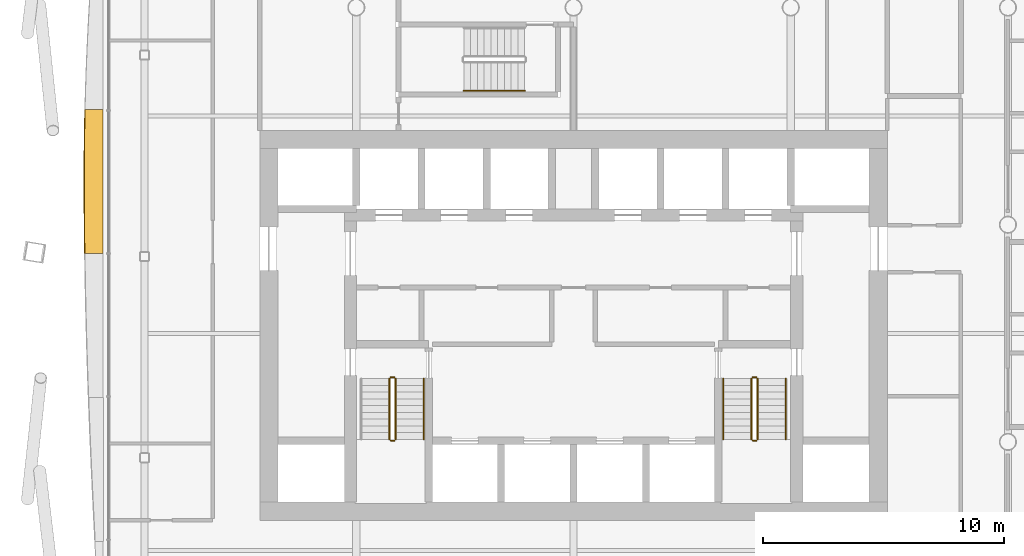
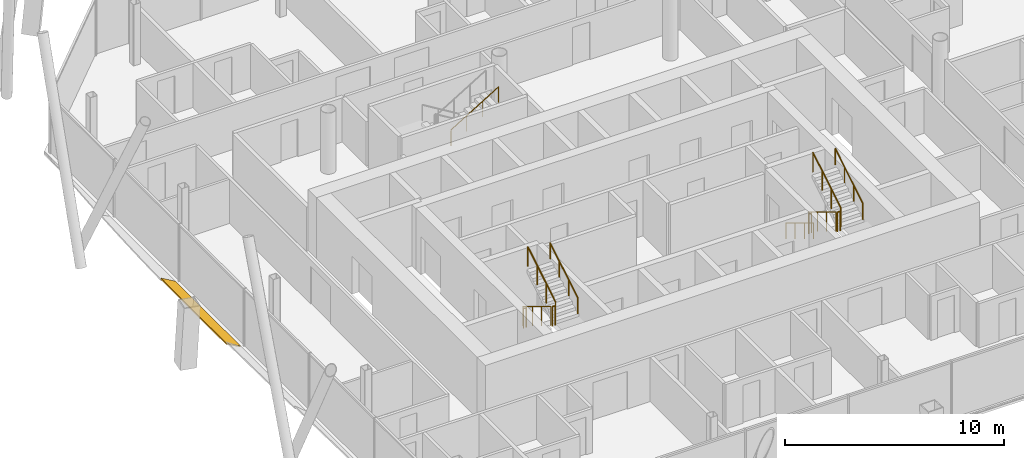
# One storey, part 20 of 23: 12 railings, 1 shading device.
"""IFC4 building model written with IfcOpenShell, lengths in metres."""

import ifcopenshell
import ifcopenshell.guid

model = None  # the IFC model being written
_history = None  # IfcOwnerHistory: only IFC2X3 demands one
_inside = {}  # id of a spatial element -> (the spatial element, [elements in it])
_under = {}  # id of a project, library or spatial element -> (it, [spatial elements below it])
_declared = {}  # id of a project -> (the project, [libraries it declares])
_typed = {}  # id of a type object -> (the type object, [elements of that type])
_made_of = {}  # id of a material, layer set ... -> (it, [elements and type objects made of it])


def new_model(schema):
    """Start an empty IFC model of exactly this schema.

    Asked for "IFC4X3", IfcOpenShell would pick the latest addendum, in which some entities
    have other attributes; the version numbers below select the first issue.
    IFC2X3 requires an IfcOwnerHistory on every rooted entity: one is made here for all.
    """
    global model, _history
    if schema == "IFC4X3":
        model = ifcopenshell.file(schema_version=(4, 3, 0, 0))
    else:
        model = ifcopenshell.file(schema=schema)
    _inside.clear()
    _under.clear()
    _declared.clear()
    _typed.clear()
    _made_of.clear()
    _history = None
    if model.schema == "IFC2X3":
        org = make("IfcOrganization", Name="unknown")
        user = make(
            "IfcPersonAndOrganization",
            ThePerson=make("IfcPerson", FamilyName="unknown"),
            TheOrganization=org,
        )
        app = make(
            "IfcApplication",
            ApplicationDeveloper=org,
            Version="unknown",
            ApplicationFullName="unknown",
            ApplicationIdentifier="unknown",
        )
        _history = make(
            "IfcOwnerHistory",
            OwningUser=user,
            OwningApplication=app,
            ChangeAction="ADDED",
            CreationDate=0,
        )
    return model


def make(cls, **values):
    """One entity of the class cls with the attributes given. An attribute that is None is left unset."""
    return model.create_entity(
        cls, **{name: value for name, value in values.items() if value is not None}
    )


def rooted(cls, **values):
    """An entity with a GlobalId (a new one), such as an element, a storey or a relation."""
    return make(cls, GlobalId=ifcopenshell.guid.new(), OwnerHistory=_history, **values)


def si_unit(unit_type, name, prefix=None):
    """IfcSIUnit, for example si_unit("LENGTHUNIT", "METRE", prefix="MILLI")."""
    return make("IfcSIUnit", UnitType=unit_type, Prefix=prefix, Name=name)


def assignment(units):
    """IfcUnitAssignment: the units of a project."""
    return None if units is None else make("IfcUnitAssignment", Units=units)


def point(xyz):
    """IfcCartesianPoint."""
    return None if xyz is None else make("IfcCartesianPoint", Coordinates=xyz)


def direction(xyz):
    """IfcDirection."""
    return None if xyz is None else make("IfcDirection", DirectionRatios=xyz)


def frame(location, z_axis=None, x_axis=None):
    """IfcAxis2Placement3D, a coordinate frame: its origin and axes. An axis left out is left unset."""
    return make(
        "IfcAxis2Placement3D",
        Location=point(location),
        Axis=direction(z_axis),
        RefDirection=direction(x_axis),
    )


def frame_2d(location, x_axis=None):
    """IfcAxis2Placement2D, a coordinate frame in the plane: its origin and x axis."""
    return make(
        "IfcAxis2Placement2D", Location=point(location), RefDirection=direction(x_axis)
    )


def origin():
    """The frame at (0, 0, 0) with its axes left unset."""
    return frame((0.0, 0.0, 0.0))


def origin_2d():
    """The frame at (0, 0) in the plane with its x axis left unset."""
    return frame_2d((0.0, 0.0))


def place(relative_to, where):
    """IfcLocalPlacement: puts the frame where relative to a parent placement (None: the world)."""
    return make(
        "IfcLocalPlacement", PlacementRelTo=relative_to, RelativePlacement=where
    )


def context(
    kind, dimensions, precision=None, world=None, true_north=None, identifier=None
):
    """IfcGeometricRepresentationContext, for example the 3D "Model" context."""
    return make(
        "IfcGeometricRepresentationContext",
        ContextIdentifier=identifier,
        ContextType=kind,
        CoordinateSpaceDimension=dimensions,
        Precision=precision,
        WorldCoordinateSystem=world,
        TrueNorth=true_north,
    )


def subcontext(parent, identifier, kind, view, scale=None):
    """IfcGeometricRepresentationSubContext, for example "Body" below "Model"."""
    return make(
        "IfcGeometricRepresentationSubContext",
        ContextIdentifier=identifier,
        ContextType=kind,
        ParentContext=parent,
        TargetScale=scale,
        TargetView=view,
    )


def project(units=None, contexts=None):
    """IfcProject with its units and contexts."""
    return rooted(
        "IfcProject",
        Name="project",
        RepresentationContexts=contexts,
        UnitsInContext=assignment(units),
    )


def spatial(cls, under=None, at=None, **own):
    """A site, building, storey or space (cls), placed at a placement, below another one or the project."""
    s = rooted(cls, ObjectPlacement=at, **own)
    if under is not None:
        _under.setdefault(under.id(), (under, []))[1].append(s)
    return s


def polyline(points):
    """IfcPolyline through the points."""
    return make("IfcPolyline", Points=[point(p) for p in points])


def profile(cls, at=None, kind="AREA", **sizes):
    """A parametric profile (cls). Its sizes go by their IFC names, for example OverallWidth=200.0."""
    return make(cls, ProfileType=kind, Position=at, **sizes)


def circle(**sizes):
    """IfcCircleProfileDef."""
    return profile("IfcCircleProfileDef", **sizes)


def outline(outer, holes=None, kind="AREA"):
    """IfcArbitraryClosedProfileDef: a profile drawn as a closed curve; with holes, ...WithVoids."""
    if holes is None:
        return make("IfcArbitraryClosedProfileDef", ProfileType=kind, OuterCurve=outer)
    return make(
        "IfcArbitraryProfileDefWithVoids",
        ProfileType=kind,
        OuterCurve=outer,
        InnerCurves=holes,
    )


def extrude(swept, where, along, depth):
    """IfcExtrudedAreaSolid: the profile swept, set in the frame where, extruded along a direction by depth."""
    return make(
        "IfcExtrudedAreaSolid",
        SweptArea=swept,
        Position=where,
        ExtrudedDirection=direction(along),
        Depth=depth,
    )


def shape(context_of_items, identifier, shape_type, items):
    """IfcShapeRepresentation: the items that make up one representation, for example the "Body"."""
    return make(
        "IfcShapeRepresentation",
        ContextOfItems=context_of_items,
        RepresentationIdentifier=identifier,
        RepresentationType=shape_type,
        Items=items,
    )


def material(Name=None, Category=None):
    """IfcMaterial."""
    return make("IfcMaterial", Name=Name, Category=Category)


def layer(
    of_material, thickness, ventilated=None, Name=None, Category=None, Priority=None
):
    """IfcMaterialLayer: one layer of a wall or slab, of a material (None: an air gap)."""
    return make(
        "IfcMaterialLayer",
        Material=of_material,
        LayerThickness=thickness,
        IsVentilated=ventilated,
        Name=Name,
        Category=Category,
        Priority=Priority,
    )


def layer_set(layers, Name=None):
    """IfcMaterialLayerSet."""
    return make("IfcMaterialLayerSet", MaterialLayers=layers, LayerSetName=Name)


def made_of(thing, what):
    """Note that an element or type object is made of a material, layer set ...; save() writes the relation."""
    if what is not None:
        _made_of.setdefault(what.id(), (what, []))[1].append(thing)
    return thing


def type_object(cls, material=None, **own):
    """A type object (cls), such as IfcWallType, which elements share."""
    return made_of(rooted(cls, **own), material)


def element(
    cls,
    number,
    at=None,
    inside=None,
    cuts=None,
    type_object=None,
    material=None,
    context=None,
    identifier="Body",
    shape_type=None,
    held_by="IfcProductDefinitionShape",
    body=None,
    shapes=None,
    **own,
):
    """One element of the class cls, such as IfcWall. Its Tag is "e" and its number.

    at: its placement. inside: the storey or other place that contains it. cuts: it is an
    opening in that element (IfcRelVoidsElement). A single representation is given by context,
    identifier, shape_type and body (its items); several are given by shapes. held_by: the class
    of the entity that holds the representations. save() writes the other relations.
    """
    e = rooted(cls, Tag="e%d" % number, ObjectPlacement=at, **own)
    if body is not None:
        shapes = [shape(context, identifier, shape_type, body)]
    if shapes is not None:
        e.Representation = make(held_by, Representations=shapes)
    if inside is not None:
        _inside.setdefault(inside.id(), (inside, []))[1].append(e)
    if cuts is not None:
        rooted(
            "IfcRelVoidsElement", RelatingBuildingElement=cuts, RelatedOpeningElement=e
        )
    if type_object is not None:
        _typed.setdefault(type_object.id(), (type_object, []))[1].append(e)
    return made_of(e, material)


def aggregate(whole, parts):
    """IfcRelAggregates: a whole, such as a stair, and the parts it consists of."""
    return rooted("IfcRelAggregates", RelatingObject=whole, RelatedObjects=parts)


def save(model, path):
    """Write the relations noted so far, then the file.

    IfcRelAggregates (storeys below a building ...), IfcRelContainedInSpatialStructure (elements
    in a storey), IfcRelDefinesByType, IfcRelAssociatesMaterial and IfcRelDeclares: one each for
    every whole, place, type object, material and project.
    """
    for whole, parts in _under.values():
        aggregate(whole, parts)
    for where, things in _inside.values():
        rooted(
            "IfcRelContainedInSpatialStructure",
            RelatedElements=things,
            RelatingStructure=where,
        )
    for kind, things in _typed.values():
        rooted("IfcRelDefinesByType", RelatedObjects=things, RelatingType=kind)
    for what, things in _made_of.values():
        rooted("IfcRelAssociatesMaterial", RelatedObjects=things, RelatingMaterial=what)
    for by, libraries in _declared.values():
        rooted("IfcRelDeclares", RelatingContext=by, RelatedDefinitions=libraries)
    model.write(path)


model = new_model("IFC4")

# Units and contexts
model_context = context("Model", 3, precision=1e-05, world=origin(), true_north=direction((0.0, 1.0)))
body_context = subcontext(model_context, "Body", "Model", "MODEL_VIEW")
ifc_project = project(units=[si_unit("LENGTHUNIT", "METRE"), si_unit("AREAUNIT", "SQUARE_METRE"), si_unit("VOLUMEUNIT", "CUBIC_METRE"), si_unit("PLANEANGLEUNIT", "RADIAN"), si_unit("MASSUNIT", "GRAM", prefix="KILO")], contexts=[model_context])

# Site, building, storey
site_placement = place(None, origin())
site = spatial("IfcSite", under=ifc_project, at=site_placement, CompositionType="ELEMENT")
building_placement = place(site_placement, origin())
building = spatial("IfcBuilding", under=site, at=building_placement, Name="Tskaro Facet Tower", CompositionType="ELEMENT")
storey_placement = place(building_placement, frame((0.0, 0.0, 141.89990234375)))
storey = spatial("IfcBuildingStorey", under=building, at=storey_placement, Name="L34", CompositionType="ELEMENT", Elevation=141.89990234375)

# Shading device
ifc_material_1 = material(Name="Bronze anodised aluminium 6063-T6", Category="aluminium")
ifc_layer = layer(ifc_material_1, 0.06005859375, Name="Bronze anodised aluminium 6063-T6")
ifc_layer_set = layer_set([ifc_layer], Name="Bronze anodised aluminium 6063-T6")
shading_device_type = type_object("IfcShadingDeviceType", Name="Bronze sun blade (FN1)", PredefinedType="USERDEFINED", material=ifc_layer_set)
shading_device_placement = place(storey_placement, frame((-19.491943359375, 4.768310546875, 0.052001953125), z_axis=(0.500050952236, -1.00918e-05, 0.86599598444), x_axis=(-5.046414e-06, -0.999999999949, -8.739458e-06)))
element("IfcShadingDevice", 1, at=shading_device_placement, inside=storey, type_object=shading_device_type, Name="Fin blade west 3", ObjectType="FIN", PredefinedType="USERDEFINED", context=body_context, shape_type="SweptSolid", body=[
    extrude(outline(polyline([(0.0, 0.0), (5.963867187196307, 0.0), (5.9638671878294565, -0.873066568991804), (5.218261717762259, -0.8835751071694553), (4.472900392167334, -0.8913262428748934), (3.7272949209296673, -0.89626337476237), (2.981933594164273, -0.8984431041776331), (2.7434082026497975, -0.8987766117305493), (2.236328124791416, -0.8973532394700015), (1.4909667970067335, -0.8905698857201781), (0.745361327426594, -0.87821512568018), (-5.653707163243262e-10, -0.8601668765979902), (0.0, 0.0)])), origin(), (0.0, 0.0, -1.0), 0.06005859375),
])

# Railings
ifc_material_2 = material(Name="Stainless steel", Category="steel")
railing_type_1 = type_object("IfcRailingType", Name="RL-GUARD-1100", PredefinedType="GUARDRAIL", material=ifc_material_2)
railing_1_placement = place(storey_placement, frame((-7.625, -6.375, 0.170166015625)))
element("IfcRailing", 2, at=railing_1_placement, inside=storey, type_object=railing_type_1, Name="L34 ST-1 stair guard 1", PredefinedType="GUARDRAIL", context=body_context, shape_type="SweptSolid", body=[
    extrude(circle(Radius=0.02392578125, at=origin_2d()), frame((0.0, 0.0, 1.076171875), z_axis=(0.0, -0.85478489116, 0.518982456201), x_axis=(1.0, 0.0, 0.0)), (0.0, 0.0, 1.0), 2.9482421875),
    extrude(circle(Radius=0.02099609375, at=origin_2d()), origin(), (0.0, 0.0, 1.0), 1.052001953125),
    extrude(circle(Radius=0.02099609375, at=origin_2d()), frame((0.0, -0.840087890625, 0.510009765625)), (0.0, 0.0, 1.0), 1.052001953125),
    extrude(circle(Radius=0.02099609375, at=origin_2d()), frame((0.0, -1.679931640625, 1.02001953125)), (0.0, 0.0, 1.0), 1.052001953125),
    extrude(circle(Radius=0.02099609375, at=origin_2d()), frame((0.0, -2.52001953125, 1.530029296875)), (0.0, 0.0, 1.0), 1.052001953125),
])
railing_2_placement = place(storey_placement, frame((-7.574951171875, -8.945068359375, 1.7001953125)))
element("IfcRailing", 3, at=railing_2_placement, inside=storey, type_object=railing_type_1, Name="L34 ST-1 stair guard 2", PredefinedType="GUARDRAIL", context=body_context, shape_type="SweptSolid", body=[
    extrude(circle(Radius=0.02392578125, at=origin_2d()), frame((0.0, 0.0, 1.076171875), z_axis=(1.0, 0.0, 0.0), x_axis=(0.0, 1.0, 0.0)), (0.0, 0.0, 1.0), 0.14990234375),
    extrude(circle(Radius=0.02099609375, at=origin_2d()), origin(), (0.0, 0.0, 1.0), 1.052001953125),
    extrude(circle(Radius=0.02099609375, at=origin_2d()), frame((0.14990234375, 0.0, 0.0)), (0.0, 0.0, 1.0), 1.052001953125),
])
railing_3_placement = place(storey_placement, frame((-7.375, -8.89501953125, 1.8701171875)))
element("IfcRailing", 4, at=railing_3_placement, inside=storey, type_object=railing_type_1, Name="L34 ST-1 stair guard 3", PredefinedType="GUARDRAIL", context=body_context, shape_type="SweptSolid", body=[
    extrude(circle(Radius=0.02392578125, at=origin_2d()), frame((0.0, 0.0, 1.076171875), z_axis=(0.0, 0.85478489116, 0.518982456201), x_axis=(-1.0, 0.0, 0.0)), (0.0, 0.0, 1.0), 2.9482421875),
    extrude(circle(Radius=0.02099609375, at=origin_2d()), origin(), (0.0, 0.0, 1.0), 1.052001953125),
    extrude(circle(Radius=0.02099609375, at=origin_2d()), frame((0.0, 0.840087890625, 0.510009765625)), (0.0, 0.0, 1.0), 1.052001953125),
    extrude(circle(Radius=0.02099609375, at=origin_2d()), frame((0.0, 1.679931640625, 1.02001953125)), (0.0, 0.0, 1.0), 1.052001953125),
    extrude(circle(Radius=0.02099609375, at=origin_2d()), frame((0.0, 2.52001953125, 1.530029296875)), (0.0, 0.0, 1.0), 1.052001953125),
])
railing_4_placement = place(storey_placement, frame((-7.574951171875, -6.324951171875, 0.0)))
element("IfcRailing", 5, at=railing_4_placement, inside=storey, type_object=railing_type_1, Name="L34 ST-1 stair guard 4", PredefinedType="GUARDRAIL", context=body_context, shape_type="SweptSolid", body=[
    extrude(circle(Radius=0.02392578125, at=origin_2d()), frame((0.0, 0.0, 1.076171875), z_axis=(1.0, 0.0, 0.0), x_axis=(0.0, 1.0, 0.0)), (0.0, 0.0, 1.0), 0.14990234375),
    extrude(circle(Radius=0.02099609375, at=origin_2d()), origin(), (0.0, 0.0, 1.0), 1.052001953125),
    extrude(circle(Radius=0.02099609375, at=origin_2d()), frame((0.14990234375, 0.0, 0.0)), (0.0, 0.0, 1.0), 1.052001953125),
])
railing_5_placement = place(storey_placement, frame((7.375, -6.375, 0.170166015625)))
element("IfcRailing", 6, at=railing_5_placement, inside=storey, type_object=railing_type_1, Name="L34 ST-2 stair guard 1", PredefinedType="GUARDRAIL", context=body_context, shape_type="SweptSolid", body=[
    extrude(circle(Radius=0.02392578125, at=origin_2d()), frame((0.0, 0.0, 1.076171875), z_axis=(0.0, -0.85478489116, 0.518982456201), x_axis=(1.0, 0.0, 0.0)), (0.0, 0.0, 1.0), 2.9482421875),
    extrude(circle(Radius=0.02099609375, at=origin_2d()), origin(), (0.0, 0.0, 1.0), 1.052001953125),
    extrude(circle(Radius=0.02099609375, at=origin_2d()), frame((0.0, -0.840087890625, 0.510009765625)), (0.0, 0.0, 1.0), 1.052001953125),
    extrude(circle(Radius=0.02099609375, at=origin_2d()), frame((0.0, -1.679931640625, 1.02001953125)), (0.0, 0.0, 1.0), 1.052001953125),
    extrude(circle(Radius=0.02099609375, at=origin_2d()), frame((0.0, -2.52001953125, 1.530029296875)), (0.0, 0.0, 1.0), 1.052001953125),
])
railing_6_placement = place(storey_placement, frame((7.425048828125, -8.945068359375, 1.7001953125)))
element("IfcRailing", 7, at=railing_6_placement, inside=storey, type_object=railing_type_1, Name="L34 ST-2 stair guard 2", PredefinedType="GUARDRAIL", context=body_context, shape_type="SweptSolid", body=[
    extrude(circle(Radius=0.02392578125, at=origin_2d()), frame((0.0, 0.0, 1.076171875), z_axis=(1.0, 0.0, 0.0), x_axis=(0.0, 1.0, 0.0)), (0.0, 0.0, 1.0), 0.14990234375),
    extrude(circle(Radius=0.02099609375, at=origin_2d()), origin(), (0.0, 0.0, 1.0), 1.052001953125),
    extrude(circle(Radius=0.02099609375, at=origin_2d()), frame((0.14990234375, 0.0, 0.0)), (0.0, 0.0, 1.0), 1.052001953125),
])
railing_7_placement = place(storey_placement, frame((7.625, -8.89501953125, 1.8701171875)))
element("IfcRailing", 8, at=railing_7_placement, inside=storey, type_object=railing_type_1, Name="L34 ST-2 stair guard 3", PredefinedType="GUARDRAIL", context=body_context, shape_type="SweptSolid", body=[
    extrude(circle(Radius=0.02392578125, at=origin_2d()), frame((0.0, 0.0, 1.076171875), z_axis=(0.0, 0.85478489116, 0.518982456201), x_axis=(-1.0, 0.0, 0.0)), (0.0, 0.0, 1.0), 2.9482421875),
    extrude(circle(Radius=0.02099609375, at=origin_2d()), origin(), (0.0, 0.0, 1.0), 1.052001953125),
    extrude(circle(Radius=0.02099609375, at=origin_2d()), frame((0.0, 0.840087890625, 0.510009765625)), (0.0, 0.0, 1.0), 1.052001953125),
    extrude(circle(Radius=0.02099609375, at=origin_2d()), frame((0.0, 1.679931640625, 1.02001953125)), (0.0, 0.0, 1.0), 1.052001953125),
    extrude(circle(Radius=0.02099609375, at=origin_2d()), frame((0.0, 2.52001953125, 1.530029296875)), (0.0, 0.0, 1.0), 1.052001953125),
])
railing_8_placement = place(storey_placement, frame((7.425048828125, -6.324951171875, 0.0)))
element("IfcRailing", 9, at=railing_8_placement, inside=storey, type_object=railing_type_1, Name="L34 ST-2 stair guard 4", PredefinedType="GUARDRAIL", context=body_context, shape_type="SweptSolid", body=[
    extrude(circle(Radius=0.02392578125, at=origin_2d()), frame((0.0, 0.0, 1.076171875), z_axis=(1.0, 0.0, 0.0), x_axis=(0.0, 1.0, 0.0)), (0.0, 0.0, 1.0), 0.14990234375),
    extrude(circle(Radius=0.02099609375, at=origin_2d()), origin(), (0.0, 0.0, 1.0), 1.052001953125),
    extrude(circle(Radius=0.02099609375, at=origin_2d()), frame((0.14990234375, 0.0, 0.0)), (0.0, 0.0, 1.0), 1.052001953125),
])
railing_type_2 = type_object("IfcRailingType", Name="RL-HANDRAIL-900", PredefinedType="HANDRAIL", material=ifc_material_2)
railing_9_placement = place(storey_placement, frame((-6.199951171875, -8.89501953125, 1.8701171875)))
element("IfcRailing", 10, at=railing_9_placement, inside=storey, type_object=railing_type_2, Name="L34 ST-1 stair handrail 2", PredefinedType="HANDRAIL", context=body_context, shape_type="SweptSolid", body=[
    extrude(circle(Radius=0.02392578125, at=origin_2d()), frame((0.0, 0.0, 0.8759765625), z_axis=(0.0, 0.85478489116, 0.518982456201), x_axis=(-1.0, 0.0, 0.0)), (0.0, 0.0, 1.0), 2.9482421875),
    extrude(circle(Radius=0.02099609375, at=origin_2d()), origin(), (0.0, 0.0, 1.0), 0.851806640625),
    extrude(circle(Radius=0.02099609375, at=origin_2d()), frame((0.0, 0.840087890625, 0.510009765625)), (0.0, 0.0, 1.0), 0.851806640625),
    extrude(circle(Radius=0.02099609375, at=origin_2d()), frame((0.0, 1.679931640625, 1.02001953125)), (0.0, 0.0, 1.0), 0.851806640625),
    extrude(circle(Radius=0.02099609375, at=origin_2d()), frame((0.0, 2.52001953125, 1.530029296875)), (0.0, 0.0, 1.0), 0.851806640625),
])
railing_10_placement = place(storey_placement, frame((6.199951171875, -6.375, 0.170166015625)))
element("IfcRailing", 11, at=railing_10_placement, inside=storey, type_object=railing_type_2, Name="L34 ST-2 stair handrail 1", PredefinedType="HANDRAIL", context=body_context, shape_type="SweptSolid", body=[
    extrude(circle(Radius=0.02392578125, at=origin_2d()), frame((0.0, 0.0, 0.8759765625), z_axis=(0.0, -0.85478489116, 0.518982456201), x_axis=(1.0, 0.0, 0.0)), (0.0, 0.0, 1.0), 2.9482421875),
    extrude(circle(Radius=0.02099609375, at=origin_2d()), origin(), (0.0, 0.0, 1.0), 0.851806640625),
    extrude(circle(Radius=0.02099609375, at=origin_2d()), frame((0.0, -0.840087890625, 0.510009765625)), (0.0, 0.0, 1.0), 0.851806640625),
    extrude(circle(Radius=0.02099609375, at=origin_2d()), frame((0.0, -1.679931640625, 1.02001953125)), (0.0, 0.0, 1.0), 0.851806640625),
    extrude(circle(Radius=0.02099609375, at=origin_2d()), frame((0.0, -2.52001953125, 1.530029296875)), (0.0, 0.0, 1.0), 0.851806640625),
])
railing_11_placement = place(storey_placement, frame((8.800048828125, -8.89501953125, 1.8701171875)))
element("IfcRailing", 12, at=railing_11_placement, inside=storey, type_object=railing_type_2, Name="L34 ST-2 stair handrail 2", PredefinedType="HANDRAIL", context=body_context, shape_type="SweptSolid", body=[
    extrude(circle(Radius=0.02392578125, at=origin_2d()), frame((0.0, 0.0, 0.8759765625), z_axis=(0.0, 0.85478489116, 0.518982456201), x_axis=(-1.0, 0.0, 0.0)), (0.0, 0.0, 1.0), 2.9482421875),
    extrude(circle(Radius=0.02099609375, at=origin_2d()), origin(), (0.0, 0.0, 1.0), 0.851806640625),
    extrude(circle(Radius=0.02099609375, at=origin_2d()), frame((0.0, 0.840087890625, 0.510009765625)), (0.0, 0.0, 1.0), 0.851806640625),
    extrude(circle(Radius=0.02099609375, at=origin_2d()), frame((0.0, 1.679931640625, 1.02001953125)), (0.0, 0.0, 1.0), 0.851806640625),
    extrude(circle(Radius=0.02099609375, at=origin_2d()), frame((0.0, 2.52001953125, 1.530029296875)), (0.0, 0.0, 1.0), 0.851806640625),
])
railing_12_placement = place(storey_placement, frame((-4.544921875, 5.550048828125, 1.8701171875)))
element("IfcRailing", 13, at=railing_12_placement, inside=storey, type_object=railing_type_2, Name="L34 ST-3 stair handrail 2", PredefinedType="HANDRAIL", context=body_context, shape_type="SweptSolid", body=[
    extrude(circle(Radius=0.02392578125, at=origin_2d()), frame((0.0, 0.0, 0.8759765625), z_axis=(0.85478489116, 0.0, 0.518982456201), x_axis=(0.0, 1.0, 0.0)), (0.0, 0.0, 1.0), 2.9482421875),
    extrude(circle(Radius=0.02099609375, at=origin_2d()), origin(), (0.0, 0.0, 1.0), 0.851806640625),
    extrude(circle(Radius=0.02099609375, at=origin_2d()), frame((0.840087890625, 0.0, 0.510009765625)), (0.0, 0.0, 1.0), 0.851806640625),
    extrude(circle(Radius=0.02099609375, at=origin_2d()), frame((1.679931640625, 0.0, 1.02001953125)), (0.0, 0.0, 1.0), 0.851806640625),
    extrude(circle(Radius=0.02099609375, at=origin_2d()), frame((2.52001953125, 0.0, 1.530029296875)), (0.0, 0.0, 1.0), 0.851806640625),
])

save(model, "model.ifc")
